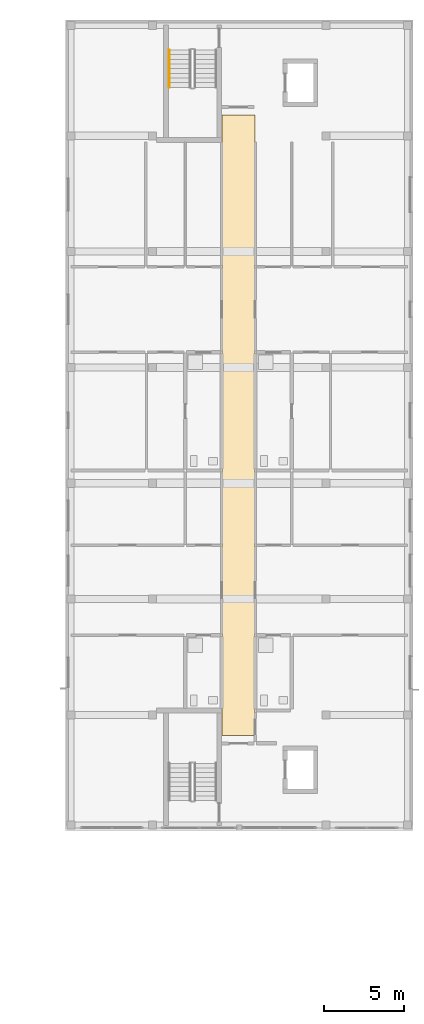
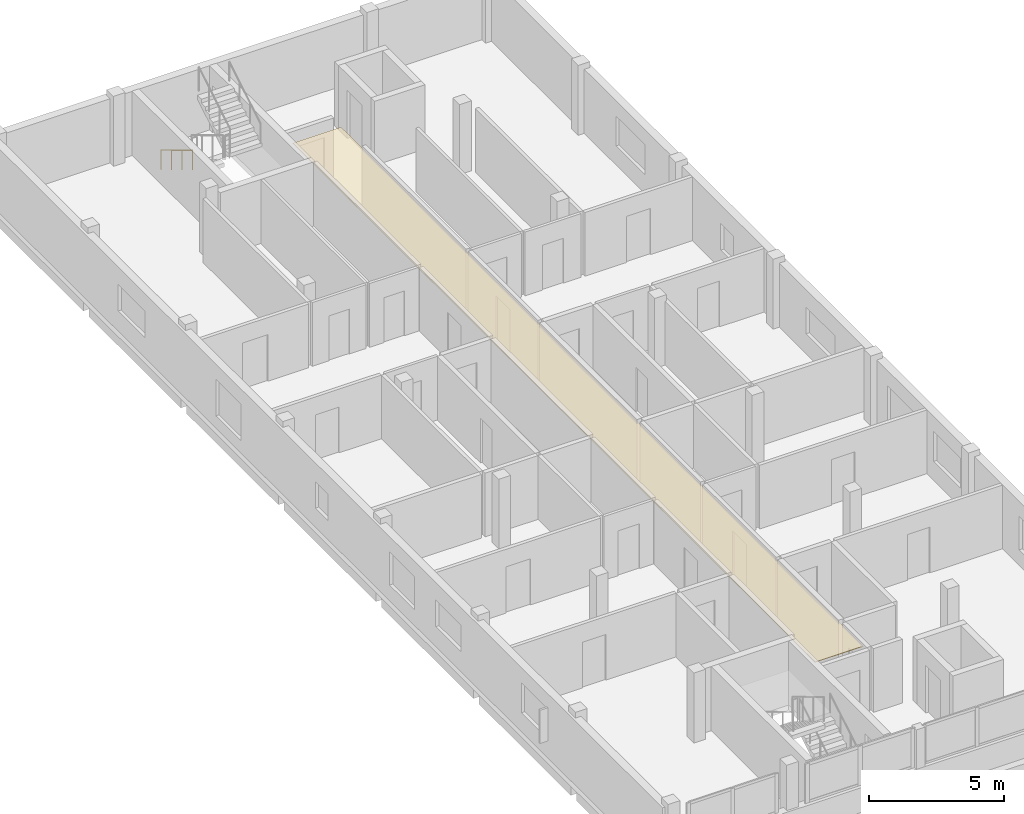
# One storey, part 25 of 28: 1 covering, 1 railing.
"""IFC4 building model written with IfcOpenShell, lengths in metres."""

import ifcopenshell
import ifcopenshell.guid

model = None  # the IFC model being written
_history = None  # IfcOwnerHistory: only IFC2X3 demands one
_inside = {}  # id of a spatial element -> (the spatial element, [elements in it])
_under = {}  # id of a project, library or spatial element -> (it, [spatial elements below it])
_declared = {}  # id of a project -> (the project, [libraries it declares])
_typed = {}  # id of a type object -> (the type object, [elements of that type])
_made_of = {}  # id of a material, layer set ... -> (it, [elements and type objects made of it])


def new_model(schema):
    """Start an empty IFC model of exactly this schema.

    Asked for "IFC4X3", IfcOpenShell would pick the latest addendum, in which some entities
    have other attributes; the version numbers below select the first issue.
    IFC2X3 requires an IfcOwnerHistory on every rooted entity: one is made here for all.
    """
    global model, _history
    if schema == "IFC4X3":
        model = ifcopenshell.file(schema_version=(4, 3, 0, 0))
    else:
        model = ifcopenshell.file(schema=schema)
    _inside.clear()
    _under.clear()
    _declared.clear()
    _typed.clear()
    _made_of.clear()
    _history = None
    if model.schema == "IFC2X3":
        org = make("IfcOrganization", Name="unknown")
        user = make(
            "IfcPersonAndOrganization",
            ThePerson=make("IfcPerson", FamilyName="unknown"),
            TheOrganization=org,
        )
        app = make(
            "IfcApplication",
            ApplicationDeveloper=org,
            Version="unknown",
            ApplicationFullName="unknown",
            ApplicationIdentifier="unknown",
        )
        _history = make(
            "IfcOwnerHistory",
            OwningUser=user,
            OwningApplication=app,
            ChangeAction="ADDED",
            CreationDate=0,
        )
    return model


def make(cls, **values):
    """One entity of the class cls with the attributes given. An attribute that is None is left unset."""
    return model.create_entity(
        cls, **{name: value for name, value in values.items() if value is not None}
    )


def rooted(cls, **values):
    """An entity with a GlobalId (a new one), such as an element, a storey or a relation."""
    return make(cls, GlobalId=ifcopenshell.guid.new(), OwnerHistory=_history, **values)


def si_unit(unit_type, name, prefix=None):
    """IfcSIUnit, for example si_unit("LENGTHUNIT", "METRE", prefix="MILLI")."""
    return make("IfcSIUnit", UnitType=unit_type, Prefix=prefix, Name=name)


def derived_unit(unit_type, elements):
    """IfcDerivedUnit: a product of units, each with its exponent."""
    return make(
        "IfcDerivedUnit",
        Elements=[
            make("IfcDerivedUnitElement", Unit=unit, Exponent=power)
            for unit, power in elements
        ],
        UnitType=unit_type,
    )


def assignment(units):
    """IfcUnitAssignment: the units of a project."""
    return None if units is None else make("IfcUnitAssignment", Units=units)


def point(xyz):
    """IfcCartesianPoint."""
    return None if xyz is None else make("IfcCartesianPoint", Coordinates=xyz)


def direction(xyz):
    """IfcDirection."""
    return None if xyz is None else make("IfcDirection", DirectionRatios=xyz)


def frame(location, z_axis=None, x_axis=None):
    """IfcAxis2Placement3D, a coordinate frame: its origin and axes. An axis left out is left unset."""
    return make(
        "IfcAxis2Placement3D",
        Location=point(location),
        Axis=direction(z_axis),
        RefDirection=direction(x_axis),
    )


def frame_2d(location, x_axis=None):
    """IfcAxis2Placement2D, a coordinate frame in the plane: its origin and x axis."""
    return make(
        "IfcAxis2Placement2D", Location=point(location), RefDirection=direction(x_axis)
    )


def origin():
    """The frame at (0, 0, 0) with its axes left unset."""
    return frame((0.0, 0.0, 0.0))


def origin_2d():
    """The frame at (0, 0) in the plane with its x axis left unset."""
    return frame_2d((0.0, 0.0))


def place(relative_to, where):
    """IfcLocalPlacement: puts the frame where relative to a parent placement (None: the world)."""
    return make(
        "IfcLocalPlacement", PlacementRelTo=relative_to, RelativePlacement=where
    )


def context(
    kind, dimensions, precision=None, world=None, true_north=None, identifier=None
):
    """IfcGeometricRepresentationContext, for example the 3D "Model" context."""
    return make(
        "IfcGeometricRepresentationContext",
        ContextIdentifier=identifier,
        ContextType=kind,
        CoordinateSpaceDimension=dimensions,
        Precision=precision,
        WorldCoordinateSystem=world,
        TrueNorth=true_north,
    )


def subcontext(parent, identifier, kind, view, scale=None):
    """IfcGeometricRepresentationSubContext, for example "Body" below "Model"."""
    return make(
        "IfcGeometricRepresentationSubContext",
        ContextIdentifier=identifier,
        ContextType=kind,
        ParentContext=parent,
        TargetScale=scale,
        TargetView=view,
    )


def project(units=None, contexts=None):
    """IfcProject with its units and contexts."""
    return rooted(
        "IfcProject",
        Name="project",
        RepresentationContexts=contexts,
        UnitsInContext=assignment(units),
    )


def spatial(cls, under=None, at=None, **own):
    """A site, building, storey or space (cls), placed at a placement, below another one or the project."""
    s = rooted(cls, ObjectPlacement=at, **own)
    if under is not None:
        _under.setdefault(under.id(), (under, []))[1].append(s)
    return s


def polyline(points):
    """IfcPolyline through the points."""
    return make("IfcPolyline", Points=[point(p) for p in points])


def profile(cls, at=None, kind="AREA", **sizes):
    """A parametric profile (cls). Its sizes go by their IFC names, for example OverallWidth=200.0."""
    return make(cls, ProfileType=kind, Position=at, **sizes)


def circle(**sizes):
    """IfcCircleProfileDef."""
    return profile("IfcCircleProfileDef", **sizes)


def outline(outer, holes=None, kind="AREA"):
    """IfcArbitraryClosedProfileDef: a profile drawn as a closed curve; with holes, ...WithVoids."""
    if holes is None:
        return make("IfcArbitraryClosedProfileDef", ProfileType=kind, OuterCurve=outer)
    return make(
        "IfcArbitraryProfileDefWithVoids",
        ProfileType=kind,
        OuterCurve=outer,
        InnerCurves=holes,
    )


def extrude(swept, where, along, depth):
    """IfcExtrudedAreaSolid: the profile swept, set in the frame where, extruded along a direction by depth."""
    return make(
        "IfcExtrudedAreaSolid",
        SweptArea=swept,
        Position=where,
        ExtrudedDirection=direction(along),
        Depth=depth,
    )


def shape(context_of_items, identifier, shape_type, items):
    """IfcShapeRepresentation: the items that make up one representation, for example the "Body"."""
    return make(
        "IfcShapeRepresentation",
        ContextOfItems=context_of_items,
        RepresentationIdentifier=identifier,
        RepresentationType=shape_type,
        Items=items,
    )


def material(Name=None, Category=None):
    """IfcMaterial."""
    return make("IfcMaterial", Name=Name, Category=Category)


def layer(
    of_material, thickness, ventilated=None, Name=None, Category=None, Priority=None
):
    """IfcMaterialLayer: one layer of a wall or slab, of a material (None: an air gap)."""
    return make(
        "IfcMaterialLayer",
        Material=of_material,
        LayerThickness=thickness,
        IsVentilated=ventilated,
        Name=Name,
        Category=Category,
        Priority=Priority,
    )


def layer_set(layers, Name=None):
    """IfcMaterialLayerSet."""
    return make("IfcMaterialLayerSet", MaterialLayers=layers, LayerSetName=Name)


def made_of(thing, what):
    """Note that an element or type object is made of a material, layer set ...; save() writes the relation."""
    if what is not None:
        _made_of.setdefault(what.id(), (what, []))[1].append(thing)
    return thing


def type_object(cls, material=None, **own):
    """A type object (cls), such as IfcWallType, which elements share."""
    return made_of(rooted(cls, **own), material)


def element(
    cls,
    number,
    at=None,
    inside=None,
    cuts=None,
    type_object=None,
    material=None,
    context=None,
    identifier="Body",
    shape_type=None,
    held_by="IfcProductDefinitionShape",
    body=None,
    shapes=None,
    **own,
):
    """One element of the class cls, such as IfcWall. Its Tag is "e" and its number.

    at: its placement. inside: the storey or other place that contains it. cuts: it is an
    opening in that element (IfcRelVoidsElement). A single representation is given by context,
    identifier, shape_type and body (its items); several are given by shapes. held_by: the class
    of the entity that holds the representations. save() writes the other relations.
    """
    e = rooted(cls, Tag="e%d" % number, ObjectPlacement=at, **own)
    if body is not None:
        shapes = [shape(context, identifier, shape_type, body)]
    if shapes is not None:
        e.Representation = make(held_by, Representations=shapes)
    if inside is not None:
        _inside.setdefault(inside.id(), (inside, []))[1].append(e)
    if cuts is not None:
        rooted(
            "IfcRelVoidsElement", RelatingBuildingElement=cuts, RelatedOpeningElement=e
        )
    if type_object is not None:
        _typed.setdefault(type_object.id(), (type_object, []))[1].append(e)
    return made_of(e, material)


def aggregate(whole, parts):
    """IfcRelAggregates: a whole, such as a stair, and the parts it consists of."""
    return rooted("IfcRelAggregates", RelatingObject=whole, RelatedObjects=parts)


def save(model, path):
    """Write the relations noted so far, then the file.

    IfcRelAggregates (storeys below a building ...), IfcRelContainedInSpatialStructure (elements
    in a storey), IfcRelDefinesByType, IfcRelAssociatesMaterial and IfcRelDeclares: one each for
    every whole, place, type object, material and project.
    """
    for whole, parts in _under.values():
        aggregate(whole, parts)
    for where, things in _inside.values():
        rooted(
            "IfcRelContainedInSpatialStructure",
            RelatedElements=things,
            RelatingStructure=where,
        )
    for kind, things in _typed.values():
        rooted("IfcRelDefinesByType", RelatedObjects=things, RelatingType=kind)
    for what, things in _made_of.values():
        rooted("IfcRelAssociatesMaterial", RelatedObjects=things, RelatingMaterial=what)
    for by, libraries in _declared.values():
        rooted("IfcRelDeclares", RelatingContext=by, RelatedDefinitions=libraries)
    model.write(path)


model = new_model("IFC4")

# Units and contexts
model_context = context("Model", 3, precision=1e-05, world=origin(), true_north=direction((0.0, 1.0)))
body_context = subcontext(model_context, "Body", "Model", "MODEL_VIEW")
ifc_project = project(units=[si_unit("LENGTHUNIT", "METRE"), si_unit("AREAUNIT", "SQUARE_METRE"), si_unit("VOLUMEUNIT", "CUBIC_METRE"), si_unit("PLANEANGLEUNIT", "RADIAN"), si_unit("MASSUNIT", "GRAM", prefix="KILO"), derived_unit("THERMALTRANSMITTANCEUNIT", [(si_unit("MASSUNIT", "GRAM", prefix="KILO"), 1), (si_unit("TIMEUNIT", "SECOND"), -3), (si_unit("THERMODYNAMICTEMPERATUREUNIT", "KELVIN"), -1)])], contexts=[model_context])

# Site, building, storey
site_placement = place(None, origin())
site = spatial("IfcSite", under=ifc_project, at=site_placement, CompositionType="ELEMENT")
building_placement = place(site_placement, origin())
building = spatial("IfcBuilding", under=site, at=building_placement, Name="Ochrekiln Boulevard Commons", CompositionType="ELEMENT")
storey_placement = place(building_placement, frame((0.0, 0.0, 34.125)))
storey = spatial("IfcBuildingStorey", under=building, at=storey_placement, Name="L10", CompositionType="ELEMENT", Elevation=34.125)

# Covering
ifc_material_1 = material(Name="Mineral-fibre acoustic ceiling tile")
ifc_layer = layer(ifc_material_1, 0.02490234375)
ifc_layer_set = layer_set([ifc_layer], Name="Mineral-fibre acoustic ceiling tile")
covering_type = type_object("IfcCoveringType", Name="COV-CEIL-AC", PredefinedType="CEILING", material=ifc_layer_set)
covering_placement = place(storey_placement, frame((0.0, 0.0, 2.64990234375)))
element("IfcCovering", 1, at=covering_placement, inside=storey, type_object=covering_type, Name="L10 Acoustic Corridor Ceiling 67", PredefinedType="CEILING", context=body_context, shape_type="SweptSolid", body=[
    extrude(outline(polyline([(160.919921875, 74.320068359375), (162.97998046875, 74.320068359375), (162.97998046875, 112.8798828125), (160.919921875, 112.8798828125), (160.919921875, 74.320068359375)])), origin(), (0.0, 0.0, 1.0), 0.025146484375),
])

# Railing
ifc_material_2 = material(Name="Brushed stainless steel 316 tubular railing", Category="steel")
railing_type = type_object("IfcRailingType", Name="RLG-HDR-900", PredefinedType="HANDRAIL", material=ifc_material_2)
railing_placement = place(storey_placement, frame((157.64990234375, 116.929931640625, 0.175048828125)))
element("IfcRailing", 2, at=railing_placement, inside=storey, type_object=railing_type, Name="L10 ST-B2 stair handrail 1", PredefinedType="HANDRAIL", context=body_context, shape_type="SweptSolid", body=[
    extrude(circle(Radius=0.02392578125, at=origin_2d()), frame((0.0, 0.0, 0.8759765625), z_axis=(0.0, -0.856186286599, 0.516667245565), x_axis=(1.0, 0.0, 0.0)), (0.0, 0.0, 1.0), 2.70947265625),
    extrude(circle(Radius=0.02099609375, at=origin_2d()), origin(), (0.0, 0.0, 1.0), 0.851806640625),
    extrude(circle(Radius=0.02099609375, at=origin_2d()), frame((0.0, -0.773193359375, 0.466552734375)), (0.0, 0.0, 1.0), 0.851806640625),
    extrude(circle(Radius=0.02099609375, at=origin_2d()), frame((0.0, -1.546630859375, 0.933349609375)), (0.0, 0.0, 1.0), 0.851806640625),
    extrude(circle(Radius=0.02099609375, at=origin_2d()), frame((0.0, -2.31982421875, 1.39990234375)), (0.0, 0.0, 1.0), 0.851806640625),
])

save(model, "model.ifc")
